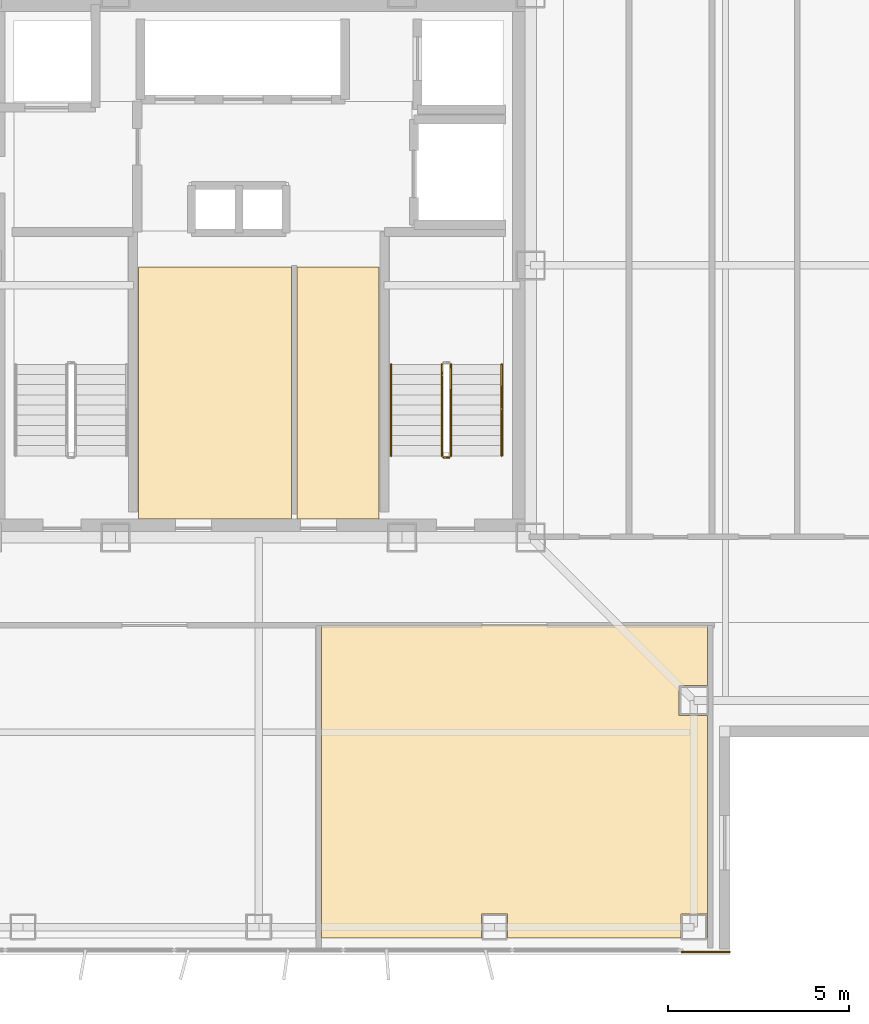
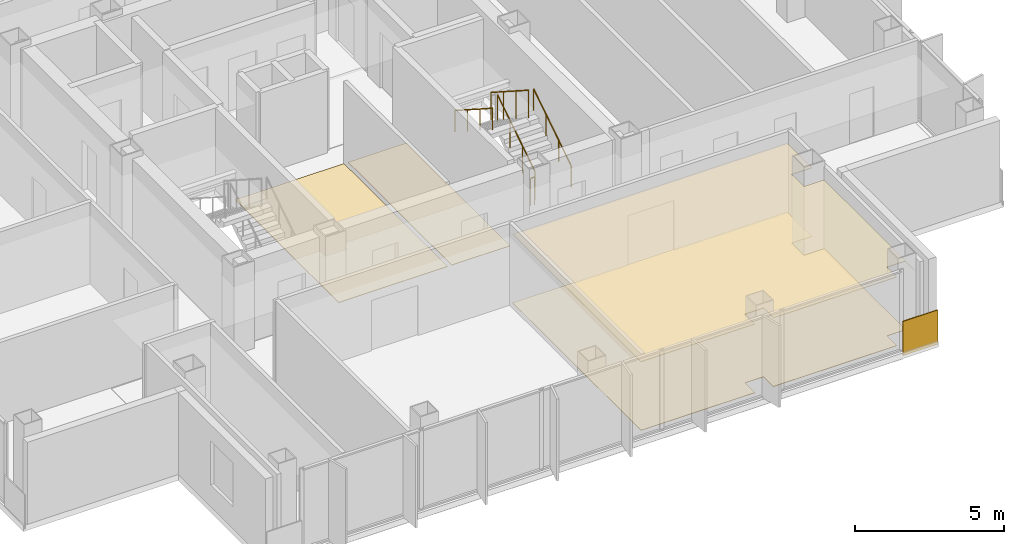
# One storey, part 11 of 15: 5 coverings, 5 railings.
"""IFC4 building model written with IfcOpenShell, lengths in metres."""

from ifc_helpers import new_model, si_unit, direction, frame, frame_2d, origin, origin_2d, place, context, subcontext, project, spatial, polyline, rectangle, circle, outline, extrude, material, layer, layer_set, type_object, element, save


model = new_model("IFC4")

# Units and contexts
model_context = context("Model", 3, precision=1e-05, world=origin(), true_north=direction((0.0, 1.0)))
body_context = subcontext(model_context, "Body", "Model", "MODEL_VIEW")
ifc_project = project(units=[si_unit("LENGTHUNIT", "METRE"), si_unit("AREAUNIT", "SQUARE_METRE"), si_unit("VOLUMEUNIT", "CUBIC_METRE"), si_unit("PLANEANGLEUNIT", "RADIAN"), si_unit("MASSUNIT", "GRAM", prefix="KILO")], contexts=[model_context])

# Site, building, storey
site_placement = place(None, origin())
site = spatial("IfcSite", under=ifc_project, at=site_placement, CompositionType="ELEMENT")
building_placement = place(site_placement, origin())
building = spatial("IfcBuilding", under=site, at=building_placement, Name="Trevonay Congress Spire", CompositionType="ELEMENT")
storey_placement = place(building_placement, frame((0.0, 0.0, 282.800048828125)))
storey = spatial("IfcBuildingStorey", under=building, at=storey_placement, Name="L74", CompositionType="ELEMENT", Elevation=282.800048828125)

# Coverings
ifc_material_1 = material(Name="Acoustic Mineral Fibre Board", Category="gypsum")
ifc_layer_1 = layer(ifc_material_1, 0.02490234375, Name="Acoustic Mineral Fibre Board")
ifc_layer_set_1 = layer_set([ifc_layer_1], Name="Acoustic Mineral Fibre Board")
covering_type_1 = type_object("IfcCoveringType", Name="COV-CEIL-ACOUSTIC", PredefinedType="CEILING", material=ifc_layer_set_1)
covering_1_placement = place(storey_placement, frame((0.0, 0.0, 2.81005859375)))
element("IfcCovering", 1, at=covering_1_placement, inside=storey, type_object=covering_type_1, Name="L74 LP Advisory Boardroom acoustic suspended ceiling", PredefinedType="CEILING", context=body_context, shape_type="SweptSolid", body=[
    extrude(outline(polyline([(1.72998046875, -18.550048828125), (1.72998046875, -9.929931640625), (12.3701171875, -9.929931640625), (12.3701171875, -11.590087890625), (11.590087890625, -11.590087890625), (11.590087890625, -12.409912109375), (12.3701171875, -12.409912109375), (12.3701171875, -18.550048828125), (12.360107421875, -18.550048828125), (12.360107421875, -17.889892578125), (11.639892578125, -17.889892578125), (11.639892578125, -18.550048828125), (6.860107421875, -18.550048828125), (6.860107421875, -17.889892578125), (6.139892578125, -17.889892578125), (6.139892578125, -18.550048828125), (1.72998046875, -18.550048828125)])), origin(), (0.0, 0.0, 1.0), 0.02490234375),
])
ifc_material_2 = material(Name="Polished Granite Floor Tile", Category="masonry")
ifc_layer_2 = layer(ifc_material_2, 0.02001953125, Name="Polished Granite Floor Tile")
ifc_layer_set_2 = layer_set([ifc_layer_2], Name="Polished Granite Floor Tile")
covering_type_2 = type_object("IfcCoveringType", Name="COV-FLOOR-STONE", PredefinedType="FLOORING", material=ifc_layer_set_2)
covering_2_placement = place(storey_placement, origin())
element("IfcCovering", 2, at=covering_2_placement, inside=storey, type_object=covering_type_2, Name="L74 Translation Equipment Hub floor finish", PredefinedType="FLOORING", context=body_context, shape_type="SweptSolid", body=[
    extrude(outline(polyline([(-3.320068359375, -7.0), (0.89990234375, -7.0), (0.89990234375, -0.050048828125), (-3.320068359375, -0.050048828125), (-3.320068359375, -7.0)])), origin(), (0.0, 0.0, 1.0), 0.02001953125),
])
covering_3_placement = place(storey_placement, origin())
element("IfcCovering", 3, at=covering_3_placement, inside=storey, type_object=covering_type_2, Name="L74 Floor Supplies Store floor finish", PredefinedType="FLOORING", context=body_context, shape_type="SweptSolid", body=[
    extrude(outline(polyline([(1.06005859375, -7.0), (3.320068359375, -7.0), (3.320068359375, -0.050048828125), (1.06005859375, -0.050048828125), (1.06005859375, -7.0)])), origin(), (0.0, 0.0, 1.0), 0.02001953125),
])
ifc_material_3 = material(Name="Engineered Oak Flooring", Category="wood")
ifc_layer_3 = layer(ifc_material_3, 0.01806640625, Name="Engineered Oak Flooring")
ifc_layer_set_3 = layer_set([ifc_layer_3], Name="Engineered Oak Flooring")
covering_type_3 = type_object("IfcCoveringType", Name="COV-FLOOR-TIMBER", PredefinedType="FLOORING", material=ifc_layer_set_3)
covering_4_placement = place(storey_placement, origin())
element("IfcCovering", 4, at=covering_4_placement, inside=storey, type_object=covering_type_3, Name="L74 LP Advisory Boardroom floor finish", PredefinedType="FLOORING", context=body_context, shape_type="SweptSolid", body=[
    extrude(outline(polyline([(1.72998046875, -18.550048828125), (1.72998046875, -9.929931640625), (12.3701171875, -9.929931640625), (12.3701171875, -11.590087890625), (11.590087890625, -11.590087890625), (11.590087890625, -12.409912109375), (12.3701171875, -12.409912109375), (12.3701171875, -18.550048828125), (12.360107421875, -18.550048828125), (12.360107421875, -17.889892578125), (11.639892578125, -17.889892578125), (11.639892578125, -18.550048828125), (6.860107421875, -18.550048828125), (6.860107421875, -17.889892578125), (6.139892578125, -17.889892578125), (6.139892578125, -18.550048828125), (1.72998046875, -18.550048828125)])), origin(), (0.0, 0.0, 1.0), 0.01806640625),
])
ifc_material_4 = material(Name="Pale Anodised Aluminium EN AW-6063-T6", Category="aluminium")
ifc_layer_4 = layer(ifc_material_4, 0.0400390625, Name="Pale Anodised Aluminium EN AW-6063-T6")
ifc_layer_set_4 = layer_set([ifc_layer_4], Name="Pale Anodised Aluminium EN AW-6063-T6")
covering_type_4 = type_object("IfcCoveringType", Name="COV-SPANDREL-PALE-METAL", PredefinedType="CLADDING", material=ifc_layer_set_4)
covering_5_placement = place(storey_placement, frame((11.64990234375, -18.93994140625, -0.150146484375), z_axis=(0.0, 0.0, 1.0), x_axis=(1.0, 0.0, 0.0)))
element("IfcCovering", 5, at=covering_5_placement, inside=storey, type_object=covering_type_4, Name="L74 SE corner pier spandrel cladding 2", PredefinedType="CLADDING", context=body_context, shape_type="SweptSolid", body=[
    extrude(rectangle(XDim=1.35009765625, YDim=0.0400390625, at=frame_2d((0.675048828125, 0.0))), origin(), (0.0, 0.0, 1.0), 1.400146484375),
])

# Railings
railing_type_1 = type_object("IfcRailingType", Name="RAL-STAIR-GUARD-110", PredefinedType="GUARDRAIL", material=ifc_material_4)
railing_1_placement = place(storey_placement, frame((5.300048828125, -5.25, 0.179931640625)))
element("IfcRailing", 6, at=railing_1_placement, inside=storey, type_object=railing_type_1, Name="L74 ST-2 stair guard 1", PredefinedType="GUARDRAIL", context=body_context, shape_type="SweptSolid", body=[
    extrude(circle(Radius=0.02392578125, at=origin_2d()), frame((0.0, 0.0, 1.1259765625), z_axis=(0.0, 0.841162588446, 0.540782303519), x_axis=(-1.0, 0.0, 0.0)), (0.0, 0.0, 1.0), 2.995849609375),
    extrude(circle(Radius=0.02099609375, at=origin_2d()), origin(), (0.0, 0.0, 1.0), 1.101806640625),
    extrude(circle(Radius=0.02099609375, at=origin_2d()), frame((0.0, 0.840087890625, 0.5400390625)), (0.0, 0.0, 1.0), 1.101806640625),
    extrude(circle(Radius=0.02099609375, at=origin_2d()), frame((0.0, 1.679931640625, 1.080078125)), (0.0, 0.0, 1.0), 1.101806640625),
    extrude(circle(Radius=0.02099609375, at=origin_2d()), frame((0.0, 2.52001953125, 1.6201171875)), (0.0, 0.0, 1.0), 1.101806640625),
])
railing_2_placement = place(storey_placement, frame((5.050048828125, -2.72998046875, 1.97998046875)))
element("IfcRailing", 7, at=railing_2_placement, inside=storey, type_object=railing_type_1, Name="L74 ST-2 stair guard 3", PredefinedType="GUARDRAIL", context=body_context, shape_type="SweptSolid", body=[
    extrude(circle(Radius=0.02392578125, at=origin_2d()), frame((0.0, 0.0, 1.1259765625), z_axis=(0.0, -0.841199657755, 0.540724639528), x_axis=(1.0, 0.0, 0.0)), (0.0, 0.0, 1.0), 2.995849609375),
    extrude(circle(Radius=0.02099609375, at=origin_2d()), origin(), (0.0, 0.0, 1.0), 1.101806640625),
    extrude(circle(Radius=0.02099609375, at=origin_2d()), frame((0.0, -0.840087890625, 0.5400390625)), (0.0, 0.0, 1.0), 1.101806640625),
    extrude(circle(Radius=0.02099609375, at=origin_2d()), frame((0.0, -1.679931640625, 1.079833984375)), (0.0, 0.0, 1.0), 1.101806640625),
    extrude(circle(Radius=0.02099609375, at=origin_2d()), frame((0.0, -2.52001953125, 1.619873046875)), (0.0, 0.0, 1.0), 1.101806640625),
])
railing_3_placement = place(storey_placement, frame((5.25, -5.300048828125, 0.0)))
element("IfcRailing", 8, at=railing_3_placement, inside=storey, type_object=railing_type_1, Name="L74 ST-2 stair guard 4", PredefinedType="GUARDRAIL", context=body_context, shape_type="SweptSolid", body=[
    extrude(circle(Radius=0.02392578125, at=origin_2d()), frame((0.0, 0.0, 1.1259765625), z_axis=(-1.0, 0.0, 0.0), x_axis=(0.0, -1.0, 0.0)), (0.0, 0.0, 1.0), 0.14990234375),
    extrude(circle(Radius=0.02099609375, at=origin_2d()), origin(), (0.0, 0.0, 1.0), 1.101806640625),
    extrude(circle(Radius=0.02099609375, at=origin_2d()), frame((-0.14990234375, 0.0, 0.0)), (0.0, 0.0, 1.0), 1.101806640625),
])
railing_type_2 = type_object("IfcRailingType", Name="RAL-STAIR-HANDRAIL", PredefinedType="HANDRAIL", material=ifc_material_4)
railing_4_placement = place(storey_placement, frame((6.699951171875, -5.25, 0.179931640625)))
element("IfcRailing", 9, at=railing_4_placement, inside=storey, type_object=railing_type_2, Name="L74 ST-2 stair handrail 1", PredefinedType="HANDRAIL", context=body_context, shape_type="SweptSolid", body=[
    extrude(circle(Radius=0.02392578125, at=origin_2d()), frame((0.0, 0.0, 0.8759765625), z_axis=(0.0, 0.841162588446, 0.540782303519), x_axis=(-1.0, 0.0, 0.0)), (0.0, 0.0, 1.0), 2.995849609375),
    extrude(circle(Radius=0.02099609375, at=origin_2d()), origin(), (0.0, 0.0, 1.0), 0.851806640625),
    extrude(circle(Radius=0.02099609375, at=origin_2d()), frame((0.0, 0.840087890625, 0.5400390625)), (0.0, 0.0, 1.0), 0.851806640625),
    extrude(circle(Radius=0.02099609375, at=origin_2d()), frame((0.0, 1.679931640625, 1.080078125)), (0.0, 0.0, 1.0), 0.851806640625),
    extrude(circle(Radius=0.02099609375, at=origin_2d()), frame((0.0, 2.52001953125, 1.6201171875)), (0.0, 0.0, 1.0), 0.851806640625),
])
railing_5_placement = place(storey_placement, frame((3.64990234375, -2.72998046875, 1.97998046875)))
element("IfcRailing", 10, at=railing_5_placement, inside=storey, type_object=railing_type_2, Name="L74 ST-2 stair handrail 2", PredefinedType="HANDRAIL", context=body_context, shape_type="SweptSolid", body=[
    extrude(circle(Radius=0.02392578125, at=origin_2d()), frame((0.0, 0.0, 0.8759765625), z_axis=(0.0, -0.841199657755, 0.540724639528), x_axis=(1.0, 0.0, 0.0)), (0.0, 0.0, 1.0), 2.995849609375),
    extrude(circle(Radius=0.02099609375, at=origin_2d()), origin(), (0.0, 0.0, 1.0), 0.851806640625),
    extrude(circle(Radius=0.02099609375, at=origin_2d()), frame((0.0, -0.840087890625, 0.5400390625)), (0.0, 0.0, 1.0), 0.851806640625),
    extrude(circle(Radius=0.02099609375, at=origin_2d()), frame((0.0, -1.679931640625, 1.079833984375)), (0.0, 0.0, 1.0), 0.851806640625),
    extrude(circle(Radius=0.02099609375, at=origin_2d()), frame((0.0, -2.52001953125, 1.619873046875)), (0.0, 0.0, 1.0), 0.851806640625),
])

save(model, "model.ifc")
